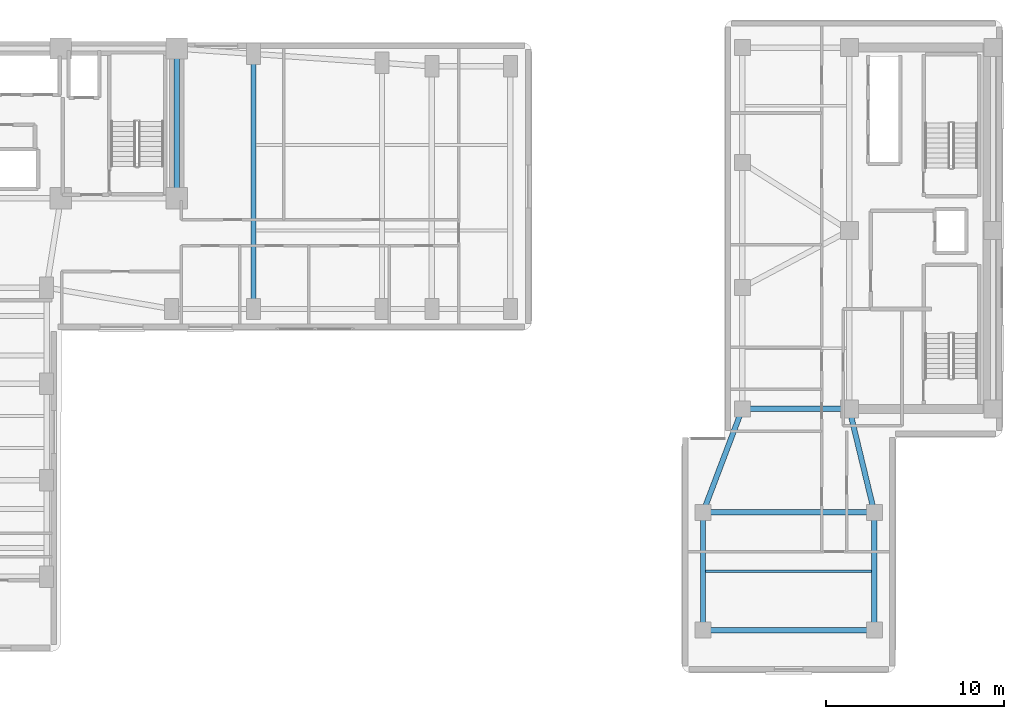
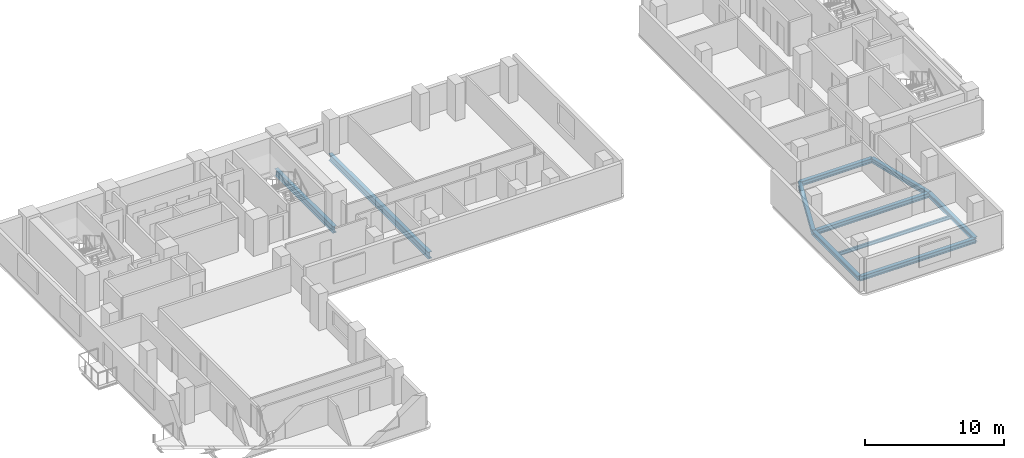
# One storey, part 5 of 15: 10 beams.
"""IFC4 building model written with IfcOpenShell, lengths in metres."""

import ifcopenshell
import ifcopenshell.guid

model = None  # the IFC model being written
_history = None  # IfcOwnerHistory: only IFC2X3 demands one
_inside = {}  # id of a spatial element -> (the spatial element, [elements in it])
_under = {}  # id of a project, library or spatial element -> (it, [spatial elements below it])
_declared = {}  # id of a project -> (the project, [libraries it declares])
_typed = {}  # id of a type object -> (the type object, [elements of that type])
_made_of = {}  # id of a material, layer set ... -> (it, [elements and type objects made of it])


def new_model(schema):
    """Start an empty IFC model of exactly this schema.

    Asked for "IFC4X3", IfcOpenShell would pick the latest addendum, in which some entities
    have other attributes; the version numbers below select the first issue.
    IFC2X3 requires an IfcOwnerHistory on every rooted entity: one is made here for all.
    """
    global model, _history
    if schema == "IFC4X3":
        model = ifcopenshell.file(schema_version=(4, 3, 0, 0))
    else:
        model = ifcopenshell.file(schema=schema)
    _inside.clear()
    _under.clear()
    _declared.clear()
    _typed.clear()
    _made_of.clear()
    _history = None
    if model.schema == "IFC2X3":
        org = make("IfcOrganization", Name="unknown")
        user = make(
            "IfcPersonAndOrganization",
            ThePerson=make("IfcPerson", FamilyName="unknown"),
            TheOrganization=org,
        )
        app = make(
            "IfcApplication",
            ApplicationDeveloper=org,
            Version="unknown",
            ApplicationFullName="unknown",
            ApplicationIdentifier="unknown",
        )
        _history = make(
            "IfcOwnerHistory",
            OwningUser=user,
            OwningApplication=app,
            ChangeAction="ADDED",
            CreationDate=0,
        )
    return model


def make(cls, **values):
    """One entity of the class cls with the attributes given. An attribute that is None is left unset."""
    return model.create_entity(
        cls, **{name: value for name, value in values.items() if value is not None}
    )


def rooted(cls, **values):
    """An entity with a GlobalId (a new one), such as an element, a storey or a relation."""
    return make(cls, GlobalId=ifcopenshell.guid.new(), OwnerHistory=_history, **values)


def si_unit(unit_type, name, prefix=None):
    """IfcSIUnit, for example si_unit("LENGTHUNIT", "METRE", prefix="MILLI")."""
    return make("IfcSIUnit", UnitType=unit_type, Prefix=prefix, Name=name)


def assignment(units):
    """IfcUnitAssignment: the units of a project."""
    return None if units is None else make("IfcUnitAssignment", Units=units)


def point(xyz):
    """IfcCartesianPoint."""
    return None if xyz is None else make("IfcCartesianPoint", Coordinates=xyz)


def direction(xyz):
    """IfcDirection."""
    return None if xyz is None else make("IfcDirection", DirectionRatios=xyz)


def frame(location, z_axis=None, x_axis=None):
    """IfcAxis2Placement3D, a coordinate frame: its origin and axes. An axis left out is left unset."""
    return make(
        "IfcAxis2Placement3D",
        Location=point(location),
        Axis=direction(z_axis),
        RefDirection=direction(x_axis),
    )


def frame_2d(location, x_axis=None):
    """IfcAxis2Placement2D, a coordinate frame in the plane: its origin and x axis."""
    return make(
        "IfcAxis2Placement2D", Location=point(location), RefDirection=direction(x_axis)
    )


def origin():
    """The frame at (0, 0, 0) with its axes left unset."""
    return frame((0.0, 0.0, 0.0))


def origin_2d():
    """The frame at (0, 0) in the plane with its x axis left unset."""
    return frame_2d((0.0, 0.0))


def place(relative_to, where):
    """IfcLocalPlacement: puts the frame where relative to a parent placement (None: the world)."""
    return make(
        "IfcLocalPlacement", PlacementRelTo=relative_to, RelativePlacement=where
    )


def context(
    kind, dimensions, precision=None, world=None, true_north=None, identifier=None
):
    """IfcGeometricRepresentationContext, for example the 3D "Model" context."""
    return make(
        "IfcGeometricRepresentationContext",
        ContextIdentifier=identifier,
        ContextType=kind,
        CoordinateSpaceDimension=dimensions,
        Precision=precision,
        WorldCoordinateSystem=world,
        TrueNorth=true_north,
    )


def subcontext(parent, identifier, kind, view, scale=None):
    """IfcGeometricRepresentationSubContext, for example "Body" below "Model"."""
    return make(
        "IfcGeometricRepresentationSubContext",
        ContextIdentifier=identifier,
        ContextType=kind,
        ParentContext=parent,
        TargetScale=scale,
        TargetView=view,
    )


def project(units=None, contexts=None):
    """IfcProject with its units and contexts."""
    return rooted(
        "IfcProject",
        Name="project",
        RepresentationContexts=contexts,
        UnitsInContext=assignment(units),
    )


def spatial(cls, under=None, at=None, **own):
    """A site, building, storey or space (cls), placed at a placement, below another one or the project."""
    s = rooted(cls, ObjectPlacement=at, **own)
    if under is not None:
        _under.setdefault(under.id(), (under, []))[1].append(s)
    return s


def profile(cls, at=None, kind="AREA", **sizes):
    """A parametric profile (cls). Its sizes go by their IFC names, for example OverallWidth=200.0."""
    return make(cls, ProfileType=kind, Position=at, **sizes)


def i_section(**sizes):
    """IfcIShapeProfileDef."""
    return profile("IfcIShapeProfileDef", **sizes)


def extrude(swept, where, along, depth):
    """IfcExtrudedAreaSolid: the profile swept, set in the frame where, extruded along a direction by depth."""
    return make(
        "IfcExtrudedAreaSolid",
        SweptArea=swept,
        Position=where,
        ExtrudedDirection=direction(along),
        Depth=depth,
    )


def shape(context_of_items, identifier, shape_type, items):
    """IfcShapeRepresentation: the items that make up one representation, for example the "Body"."""
    return make(
        "IfcShapeRepresentation",
        ContextOfItems=context_of_items,
        RepresentationIdentifier=identifier,
        RepresentationType=shape_type,
        Items=items,
    )


def material(Name=None, Category=None):
    """IfcMaterial."""
    return make("IfcMaterial", Name=Name, Category=Category)


def material_profile(
    of_material, cross_section, Name=None, Category=None, Priority=None
):
    """IfcMaterialProfile: a cross section and its material."""
    return make(
        "IfcMaterialProfile",
        Name=Name,
        Material=of_material,
        Profile=cross_section,
        Priority=Priority,
        Category=Category,
    )


def profile_set(profiles, Name=None, composite=None):
    """IfcMaterialProfileSet."""
    return make(
        "IfcMaterialProfileSet",
        Name=Name,
        MaterialProfiles=profiles,
        CompositeProfile=composite,
    )


def made_of(thing, what):
    """Note that an element or type object is made of a material, layer set ...; save() writes the relation."""
    if what is not None:
        _made_of.setdefault(what.id(), (what, []))[1].append(thing)
    return thing


def type_object(cls, material=None, **own):
    """A type object (cls), such as IfcWallType, which elements share."""
    return made_of(rooted(cls, **own), material)


def element(
    cls,
    number,
    at=None,
    inside=None,
    cuts=None,
    type_object=None,
    material=None,
    context=None,
    identifier="Body",
    shape_type=None,
    held_by="IfcProductDefinitionShape",
    body=None,
    shapes=None,
    **own,
):
    """One element of the class cls, such as IfcWall. Its Tag is "e" and its number.

    at: its placement. inside: the storey or other place that contains it. cuts: it is an
    opening in that element (IfcRelVoidsElement). A single representation is given by context,
    identifier, shape_type and body (its items); several are given by shapes. held_by: the class
    of the entity that holds the representations. save() writes the other relations.
    """
    e = rooted(cls, Tag="e%d" % number, ObjectPlacement=at, **own)
    if body is not None:
        shapes = [shape(context, identifier, shape_type, body)]
    if shapes is not None:
        e.Representation = make(held_by, Representations=shapes)
    if inside is not None:
        _inside.setdefault(inside.id(), (inside, []))[1].append(e)
    if cuts is not None:
        rooted(
            "IfcRelVoidsElement", RelatingBuildingElement=cuts, RelatedOpeningElement=e
        )
    if type_object is not None:
        _typed.setdefault(type_object.id(), (type_object, []))[1].append(e)
    return made_of(e, material)


def aggregate(whole, parts):
    """IfcRelAggregates: a whole, such as a stair, and the parts it consists of."""
    return rooted("IfcRelAggregates", RelatingObject=whole, RelatedObjects=parts)


def save(model, path):
    """Write the relations noted so far, then the file.

    IfcRelAggregates (storeys below a building ...), IfcRelContainedInSpatialStructure (elements
    in a storey), IfcRelDefinesByType, IfcRelAssociatesMaterial and IfcRelDeclares: one each for
    every whole, place, type object, material and project.
    """
    for whole, parts in _under.values():
        aggregate(whole, parts)
    for where, things in _inside.values():
        rooted(
            "IfcRelContainedInSpatialStructure",
            RelatedElements=things,
            RelatingStructure=where,
        )
    for kind, things in _typed.values():
        rooted("IfcRelDefinesByType", RelatedObjects=things, RelatingType=kind)
    for what, things in _made_of.values():
        rooted("IfcRelAssociatesMaterial", RelatedObjects=things, RelatingMaterial=what)
    for by, libraries in _declared.values():
        rooted("IfcRelDeclares", RelatingContext=by, RelatedDefinitions=libraries)
    model.write(path)


model = new_model("IFC4")

# Units and contexts
model_context = context("Model", 3, precision=1e-05, world=origin(), true_north=direction((0.0, 1.0)))
body_context = subcontext(model_context, "Body", "Model", "MODEL_VIEW")
ifc_project = project(units=[si_unit("LENGTHUNIT", "METRE"), si_unit("AREAUNIT", "SQUARE_METRE"), si_unit("VOLUMEUNIT", "CUBIC_METRE"), si_unit("PLANEANGLEUNIT", "RADIAN"), si_unit("MASSUNIT", "GRAM", prefix="KILO")], contexts=[model_context])

# Site, building, storey
site_placement = place(None, origin())
site = spatial("IfcSite", under=ifc_project, at=site_placement, CompositionType="ELEMENT")
building_placement = place(site_placement, origin())
building = spatial("IfcBuilding", under=site, at=building_placement, Name="Kuzgunbayir Cultural Tower", CompositionType="ELEMENT")
storey_placement = place(building_placement, frame((0.0, 0.0, 72.39990234375)))
storey = spatial("IfcBuildingStorey", under=building, at=storey_placement, Name="L20", CompositionType="ELEMENT", Elevation=72.39990234375)

# Beams
ifc_material = material(Name="Steel S355J2", Category="steel")
ifc_material_profile_1 = material_profile(ifc_material, i_section(OverallWidth=0.300048828125, OverallDepth=0.39990234375, WebThickness=0.013427734375, FlangeThickness=0.02392578125, FilletRadius=0.027099609375, at=origin_2d()), Name="HEB 400")
ifc_profile_set_1 = profile_set([ifc_material_profile_1], Name="Steel S355J2")
beam_type_1 = type_object("IfcBeamType", Name="BM-EXT-HEB400", PredefinedType="BEAM", material=ifc_profile_set_1)
beam_1_placement = place(storey_placement, frame((56.39990234375, 9.60009765625, -0.3798828125), z_axis=(0.0, 1.0, 0.0), x_axis=(-1.0, 0.0, 0.0)))
element("IfcBeam", 1, at=beam_1_placement, inside=storey, type_object=beam_type_1, Name="L20 Companion Wing B West Girder", PredefinedType="BEAM", context=body_context, shape_type="SweptSolid", body=[
    extrude(i_section(OverallWidth=0.300048828125, OverallDepth=0.39990234375, WebThickness=0.013427734375, FlangeThickness=0.02392578125, FilletRadius=0.027099609375, at=origin_2d()), origin(), (0.0, 0.0, 1.0), 6.599853515625),
])
beam_2_placement = place(storey_placement, frame((56.39990234375, 16.199951171875, -0.3798828125), z_axis=(0.354679148754, 0.93498807556, 0.0), x_axis=(-0.93498807556, 0.354679148754, 0.0)))
element("IfcBeam", 2, at=beam_2_placement, inside=storey, type_object=beam_type_1, Name="L20 Companion Wing B Floor Girder W", PredefinedType="BEAM", context=body_context, shape_type="SweptSolid", body=[
    extrude(i_section(OverallWidth=0.300048828125, OverallDepth=0.39990234375, WebThickness=0.013427734375, FlangeThickness=0.02392578125, FilletRadius=0.027099609375, at=origin_2d()), origin(), (0.0, 0.0, 1.0), 6.203369140625),
])
beam_3_placement = place(storey_placement, frame((66.0, 9.60009765625, -0.3798828125), z_axis=(0.0, 1.0, 0.0), x_axis=(-1.0, 0.0, 0.0)))
element("IfcBeam", 3, at=beam_3_placement, inside=storey, type_object=beam_type_1, Name="L20 Companion Wing B East Girder", PredefinedType="BEAM", context=body_context, shape_type="SweptSolid", body=[
    extrude(i_section(OverallWidth=0.300048828125, OverallDepth=0.39990234375, WebThickness=0.013427734375, FlangeThickness=0.02392578125, FilletRadius=0.027099609375, at=origin_2d()), origin(), (0.0, 0.0, 1.0), 6.599853515625),
])
beam_4_placement = place(storey_placement, frame((66.0, 16.199951171875, -0.3798828125), z_axis=(-0.234623200431, 0.972086392158, 0.0), x_axis=(-0.972086392158, -0.234623200431, 0.0)))
element("IfcBeam", 4, at=beam_4_placement, inside=storey, type_object=beam_type_1, Name="L20 Companion Wing B Floor Girder E", PredefinedType="BEAM", context=body_context, shape_type="SweptSolid", body=[
    extrude(i_section(OverallWidth=0.300048828125, OverallDepth=0.39990234375, WebThickness=0.013427734375, FlangeThickness=0.02392578125, FilletRadius=0.027099609375, at=origin_2d()), origin(), (0.0, 0.0, 1.0), 5.966552734375),
])
beam_5_placement = place(storey_placement, frame((56.39990234375, 9.60009765625, -0.3798828125), z_axis=(1.0, 0.0, 0.0), x_axis=(0.0, 1.0, 0.0)))
element("IfcBeam", 5, at=beam_5_placement, inside=storey, type_object=beam_type_1, Name="L20 Companion Wing B South Girder", PredefinedType="BEAM", context=body_context, shape_type="SweptSolid", body=[
    extrude(i_section(OverallWidth=0.300048828125, OverallDepth=0.39990234375, WebThickness=0.013427734375, FlangeThickness=0.02392578125, FilletRadius=0.027099609375, at=origin_2d()), origin(), (0.0, 0.0, 1.0), 9.60009765625),
])
ifc_material_profile_2 = material_profile(ifc_material, i_section(OverallWidth=0.300048828125, OverallDepth=0.39990234375, WebThickness=0.013427734375, FlangeThickness=0.02392578125, FilletRadius=0.027099609375, at=origin_2d()), Name="HEB 400")
ifc_profile_set_2 = profile_set([ifc_material_profile_2], Name="Steel S355J2")
beam_type_2 = type_object("IfcBeamType", Name="BM-GIR-HEB400", PredefinedType="BEAM", material=ifc_profile_set_2)
beam_6_placement = place(storey_placement, frame((58.60009765625, 22.0, -0.3798828125), z_axis=(1.0, 0.0, 0.0), x_axis=(0.0, 1.0, 0.0)))
element("IfcBeam", 6, at=beam_6_placement, inside=storey, type_object=beam_type_2, Name="L20 Companion Transverse Girder 1", PredefinedType="BEAM", context=body_context, shape_type="SweptSolid", body=[
    extrude(i_section(OverallWidth=0.300048828125, OverallDepth=0.39990234375, WebThickness=0.013427734375, FlangeThickness=0.02392578125, FilletRadius=0.027099609375, at=origin_2d()), origin(), (0.0, 0.0, 1.0), 6.0),
])
beam_7_placement = place(storey_placement, frame((56.39990234375, 16.199951171875, -0.3798828125), z_axis=(1.0, 0.0, 0.0), x_axis=(0.0, 1.0, 0.0)))
element("IfcBeam", 7, at=beam_7_placement, inside=storey, type_object=beam_type_2, Name="L20 Companion Wing B Mid Girder", PredefinedType="BEAM", context=body_context, shape_type="SweptSolid", body=[
    extrude(i_section(OverallWidth=0.300048828125, OverallDepth=0.39990234375, WebThickness=0.013427734375, FlangeThickness=0.02392578125, FilletRadius=0.027099609375, at=origin_2d()), origin(), (0.0, 0.0, 1.0), 9.60009765625),
])
ifc_material_profile_3 = material_profile(ifc_material, i_section(OverallWidth=0.300048828125, OverallDepth=0.60009765625, WebThickness=0.015380859375, FlangeThickness=0.030029296875, FilletRadius=0.027099609375, at=origin_2d()), Name="HEB 600")
ifc_profile_set_3 = profile_set([ifc_material_profile_3], Name="Steel S355J2")
beam_type_3 = type_object("IfcBeamType", Name="BM-GIR-HEB600", PredefinedType="BEAM", material=ifc_profile_set_3)
beam_8_placement = place(storey_placement, frame((26.89990234375, 33.800048828125, -0.47998046875), z_axis=(0.0, 1.0, 0.0), x_axis=(-1.0, 0.0, 0.0)))
element("IfcBeam", 8, at=beam_8_placement, inside=storey, type_object=beam_type_3, Name="L20 Core East Edge Girder", PredefinedType="BEAM", context=body_context, shape_type="SweptSolid", body=[
    extrude(i_section(OverallWidth=0.300048828125, OverallDepth=0.60009765625, WebThickness=0.015380859375, FlangeThickness=0.030029296875, FilletRadius=0.027099609375, at=origin_2d()), origin(), (0.0, 0.0, 1.0), 8.39990234375),
])
beam_9_placement = place(storey_placement, frame((31.199951171875, 27.60009765625, -0.47998046875), z_axis=(0.0, 1.0, 0.0), x_axis=(-1.0, 0.0, 0.0)))
element("IfcBeam", 9, at=beam_9_placement, inside=storey, type_object=beam_type_3, Name="L20 Wing B Cross Girder 31", PredefinedType="BEAM", context=body_context, shape_type="SweptSolid", body=[
    extrude(i_section(OverallWidth=0.300048828125, OverallDepth=0.60009765625, WebThickness=0.015380859375, FlangeThickness=0.030029296875, FilletRadius=0.027099609375, at=origin_2d()), origin(), (0.0, 0.0, 1.0), 14.2998046875),
])
ifc_material_profile_4 = material_profile(ifc_material, i_section(OverallWidth=0.14990234375, OverallDepth=0.300048828125, WebThickness=0.007080078125, FlangeThickness=0.0107421875, FilletRadius=0.014892578125, at=origin_2d()), Name="IPE 300")
ifc_profile_set_4 = profile_set([ifc_material_profile_4], Name="Steel S355J2")
beam_type_4 = type_object("IfcBeamType", Name="BM-JST-IPE300", PredefinedType="JOIST", material=ifc_profile_set_4)
beam_10_placement = place(storey_placement, frame((56.550048828125, 12.89990234375, -0.329833984375), z_axis=(1.0, 0.0, 0.0), x_axis=(0.0, 1.0, 0.0)))
element("IfcBeam", 10, at=beam_10_placement, inside=storey, type_object=beam_type_4, Name="L20 Companion Wing B Joist", PredefinedType="JOIST", context=body_context, shape_type="SweptSolid", body=[
    extrude(i_section(OverallWidth=0.14990234375, OverallDepth=0.300048828125, WebThickness=0.007080078125, FlangeThickness=0.0107421875, FilletRadius=0.014892578125, at=origin_2d()), origin(), (0.0, 0.0, 1.0), 9.300048828125),
])

save(model, "model.ifc")
